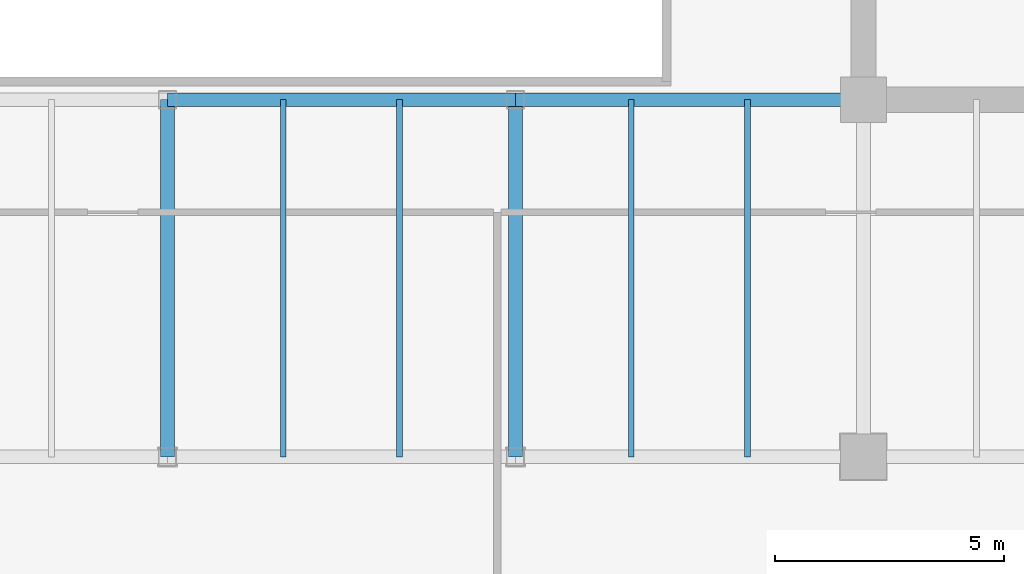
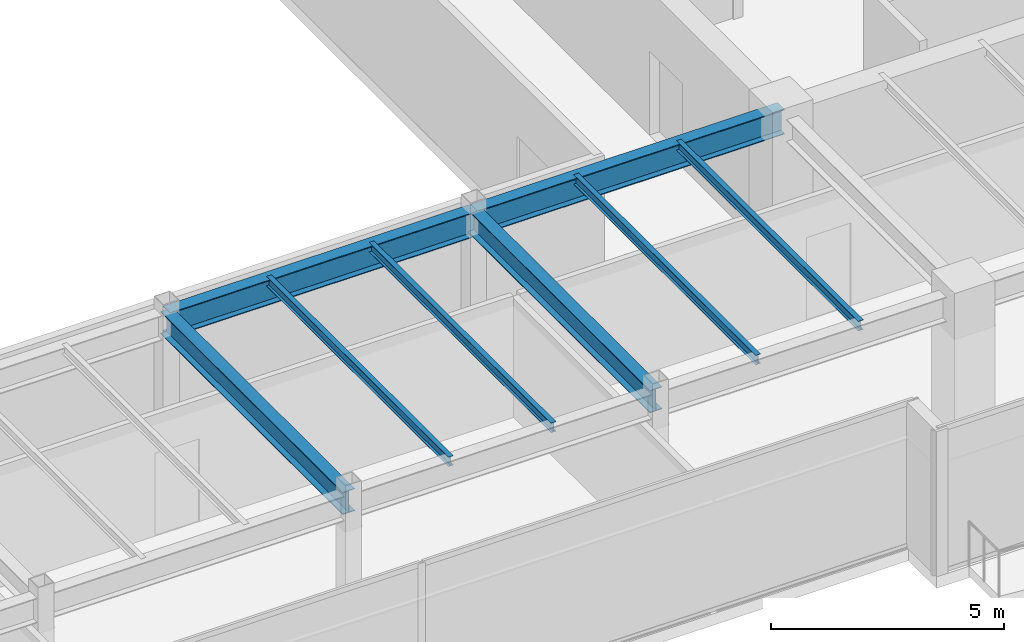
# One storey, part 11 of 35: 8 beams.
"""IFC4 building model written with IfcOpenShell, lengths in metres."""

from ifc_helpers import new_model, si_unit, direction, frame, origin, origin_2d, place, context, subcontext, project, spatial, i_section, extrude, source, transform, mapped, material, material_profile, profile_set, type_object, type_shapes, element, save


model = new_model("IFC4")

# Units and contexts
model_context = context("Model", 3, precision=1e-05, world=origin(), true_north=direction((0.0, 1.0)))
body_context = subcontext(model_context, "Body", "Model", "MODEL_VIEW")
ifc_project = project(units=[si_unit("LENGTHUNIT", "METRE"), si_unit("AREAUNIT", "SQUARE_METRE"), si_unit("VOLUMEUNIT", "CUBIC_METRE"), si_unit("PLANEANGLEUNIT", "RADIAN"), si_unit("MASSUNIT", "GRAM", prefix="KILO")], contexts=[model_context])

# Site, building, storey
site_placement = place(None, origin())
site = spatial("IfcSite", under=ifc_project, at=site_placement, CompositionType="ELEMENT")
building_placement = place(site_placement, origin())
building = spatial("IfcBuilding", under=site, at=building_placement, Name="Haelvirn Gate Laboratories", CompositionType="ELEMENT")
storey_placement = place(building_placement, frame((0.0, 0.0, 283.39990234375)))
storey = spatial("IfcBuildingStorey", under=building, at=storey_placement, Name="L68", CompositionType="ELEMENT", Elevation=283.39990234375)

# Beams
ifc_material = material(Name="Steel SM355", Category="steel")
ifc_material_profile_1 = material_profile(ifc_material, i_section(OverallWidth=0.300048828125, OverallDepth=0.587890625, WebThickness=0.011962890625, FlangeThickness=0.02001953125, at=origin_2d()), Name="H-588x300x12x20")
ifc_profile_set_1 = profile_set([ifc_material_profile_1], Name="Steel SM355")
beam_type_1 = type_object("IfcBeamType", Name="BM-G-588", PredefinedType="BEAM", material=ifc_profile_set_1)
shared_shape_1 = source(origin(), body_context, "Body", "SweptSolid", [
    extrude(i_section(OverallWidth=0.300048828125, OverallDepth=0.587890625, WebThickness=0.011962890625, FlangeThickness=0.02001953125, at=origin_2d()), origin(), (0.0, 0.0, 1.0), 7.800048828125),
])
type_shapes(beam_type_1, [shared_shape_1])
for number, where, z_axis, x_axis, name in (
    (1, (37.39990234375, 7.0, 3.506103515625), (0.0, 1.0, 0.0), (-1.0, 0.0, 0.0), "L68 Frame Girder X37.4 (7.0-14.8)"),
    (2, (45.0, 7.0, 3.506103515625), (0.0, 1.0, 0.0), (-1.0, 0.0, 0.0), "L68 Frame Girder X45.0 (7.0-14.8)"),
):
    element("IfcBeam", number, at=place(storey_placement, frame(where, z_axis=z_axis, x_axis=x_axis)), inside=storey, type_object=beam_type_1, Name=name, PredefinedType="BEAM", context=body_context, shape_type="MappedRepresentation", body=[
        mapped(shared_shape_1, transform((0.0, 0.0, 0.0), scale=1.0)),
    ])
ifc_material_profile_2 = material_profile(ifc_material, i_section(OverallWidth=0.300048828125, OverallDepth=0.64990234375, WebThickness=0.012939453125, FlangeThickness=0.02197265625, at=origin_2d()), Name="H-650x300x13x22")
ifc_profile_set_2 = profile_set([ifc_material_profile_2], Name="Steel SM355")
beam_type_2 = type_object("IfcBeamType", Name="BM-G-650", PredefinedType="BEAM", material=ifc_profile_set_2)
shared_shape_2 = source(origin(), body_context, "Body", "SweptSolid", [
    extrude(i_section(OverallWidth=0.300048828125, OverallDepth=0.64990234375, WebThickness=0.012939453125, FlangeThickness=0.02197265625, at=origin_2d()), origin(), (0.0, 0.0, 1.0), 7.60009765625),
])
type_shapes(beam_type_2, [shared_shape_2])
for number, where, z_axis, x_axis, name in (
    (3, (37.39990234375, 14.800048828125, 3.47509765625), (1.0, 0.0, 0.0), (0.0, 1.0, 0.0), "L68 Primary Girder Y14.8 (37.4-45.0)"),
    (4, (45.0, 14.800048828125, 3.47509765625), (1.0, 0.0, 0.0), (0.0, 1.0, 0.0), "L68 Primary Girder Y14.8 (45.0-52.6)"),
):
    element("IfcBeam", number, at=place(storey_placement, frame(where, z_axis=z_axis, x_axis=x_axis)), inside=storey, type_object=beam_type_2, Name=name, PredefinedType="BEAM", context=body_context, shape_type="MappedRepresentation", body=[
        mapped(shared_shape_2, transform((0.0, 0.0, 0.0), scale=1.0)),
    ])
ifc_material_profile_3 = material_profile(ifc_material, i_section(OverallWidth=0.125, OverallDepth=0.25, WebThickness=0.006103515625, FlangeThickness=0.009033203125, at=origin_2d()), Name="H-250x125x6x9")
ifc_profile_set_3 = profile_set([ifc_material_profile_3], Name="Steel SM355")
beam_type_3 = type_object("IfcBeamType", Name="BM-J-250", PredefinedType="JOIST", material=ifc_profile_set_3)
shared_shape_3 = source(origin(), body_context, "Body", "SweptSolid", [
    extrude(i_section(OverallWidth=0.125, OverallDepth=0.25, WebThickness=0.006103515625, FlangeThickness=0.009033203125, at=origin_2d()), origin(), (0.0, 0.0, 1.0), 7.800048828125),
])
type_shapes(beam_type_3, [shared_shape_3])
for number, where, z_axis, x_axis, name in (
    (5, (39.929931640625, 7.0, 3.675048828125), (0.0, 1.0, 0.0), (-1.0, 0.0, 0.0), "L68 Composite Lab Joist South X39.93"),
    (6, (42.469970703125, 7.0, 3.675048828125), (0.0, 1.0, 0.0), (-1.0, 0.0, 0.0), "L68 Composite Lab Joist South X42.47"),
    (7, (47.530029296875, 7.0, 3.675048828125), (0.0, 1.0, 0.0), (-1.0, 0.0, 0.0), "L68 Composite Lab Joist South X47.53"),
    (8, (50.070068359375, 7.0, 3.675048828125), (0.0, 1.0, 0.0), (-1.0, 0.0, 0.0), "L68 Composite Lab Joist South X50.07"),
):
    element("IfcBeam", number, at=place(storey_placement, frame(where, z_axis=z_axis, x_axis=x_axis)), inside=storey, type_object=beam_type_3, Name=name, PredefinedType="JOIST", context=body_context, shape_type="MappedRepresentation", body=[
        mapped(shared_shape_3, transform((0.0, 0.0, 0.0), scale=1.0)),
    ])

save(model, "model.ifc")
